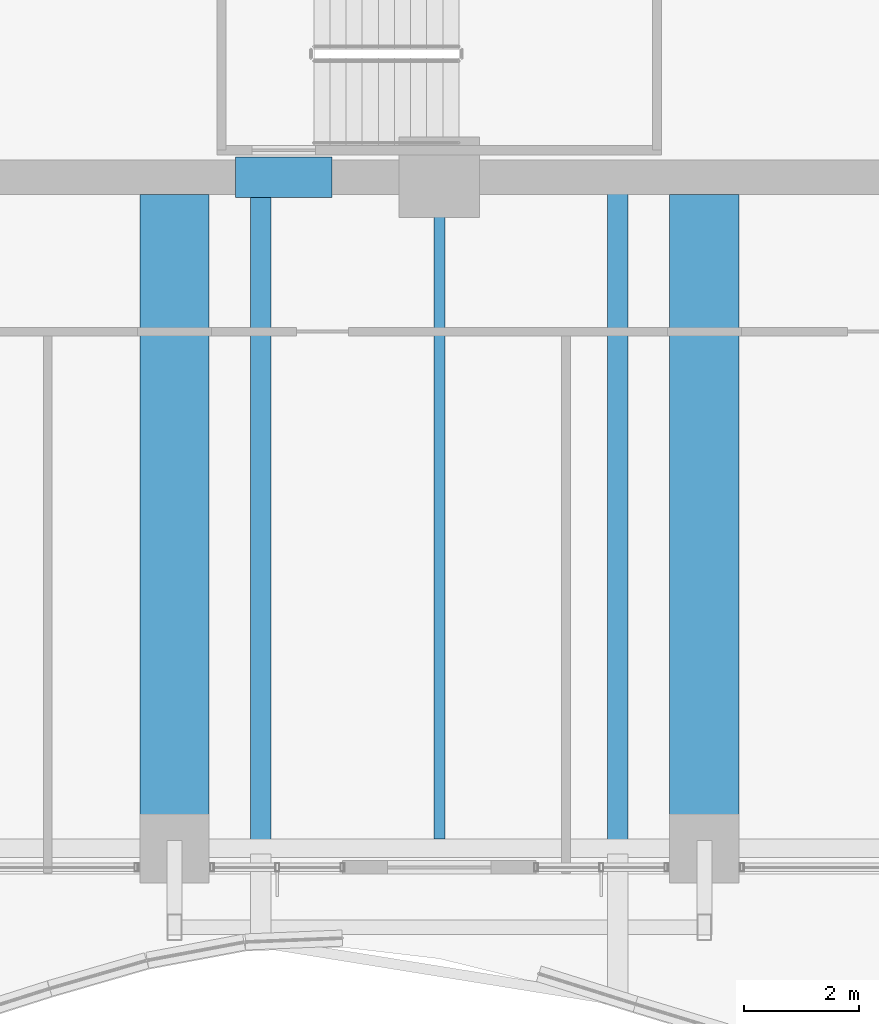
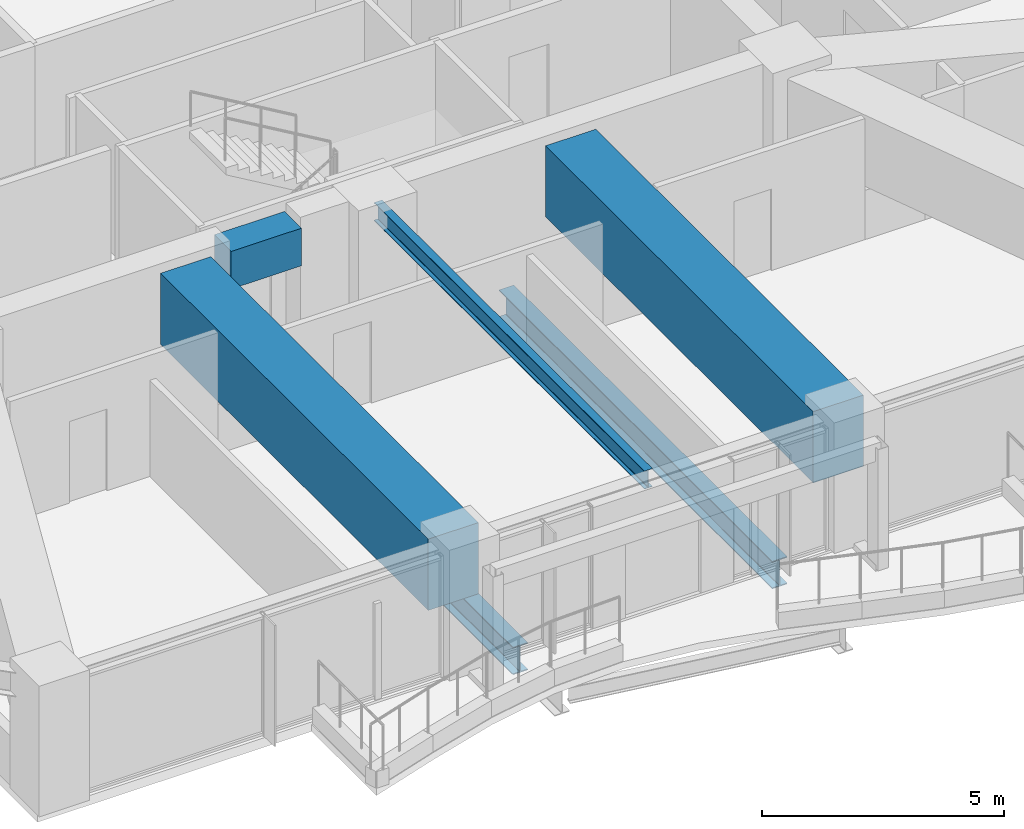
# One storey, part 6 of 37: 6 beams.
"""IFC4 building model written with IfcOpenShell, lengths in metres."""

from ifc_helpers import new_model, si_unit, direction, frame, origin, origin_2d, place, context, subcontext, project, spatial, rectangle, i_section, extrude, material, material_profile, profile_set, type_object, element, save


model = new_model("IFC4")

# Units and contexts
model_context = context("Model", 3, precision=1e-05, world=origin(), true_north=direction((0.0, 1.0)))
body_context = subcontext(model_context, "Body", "Model", "MODEL_VIEW")
ifc_project = project(units=[si_unit("LENGTHUNIT", "METRE"), si_unit("AREAUNIT", "SQUARE_METRE"), si_unit("VOLUMEUNIT", "CUBIC_METRE"), si_unit("PLANEANGLEUNIT", "RADIAN"), si_unit("MASSUNIT", "GRAM", prefix="KILO")], contexts=[model_context])

# Site, building, storey
site_placement = place(None, origin())
site = spatial("IfcSite", under=ifc_project, at=site_placement, CompositionType="ELEMENT")
building_placement = place(site_placement, origin())
building = spatial("IfcBuilding", under=site, at=building_placement, Name="Kolvaren Belvedere", CompositionType="ELEMENT")
storey_placement = place(building_placement, frame((0.0, 0.0, 56.800048828125)))
storey = spatial("IfcBuildingStorey", under=building, at=storey_placement, Name="L16", CompositionType="ELEMENT", Elevation=56.800048828125)

# Beams
ifc_material_1 = material(Name="Structural steel ASTM A992 Grade 50", Category="steel")
ifc_material_profile_1 = material_profile(ifc_material_1, i_section(OverallWidth=0.35498046875, OverallDepth=0.696044921875, WebThickness=0.015380859375, FlangeThickness=0.02490234375, FilletRadius=0.02197265625, at=origin_2d()), Name="W27X146")
ifc_profile_set_1 = profile_set([ifc_material_profile_1], Name="Structural steel ASTM A992 Grade 50")
beam_type_1 = type_object("IfcBeamType", Name="BM-GIRD-W27X146", PredefinedType="BEAM", material=ifc_profile_set_1)
for number, where, z_axis, x_axis, name in (
    (1, (-3.10009765625, -10.139892578125, -0.588134765625), (0.0, -1.0, 0.0), (1.0, 0.0, 0.0), "L16 Balcony Interior Back-Span Girder BAL-S-1"),
    (2, (3.10009765625, -10.139892578125, -0.588134765625), (0.0, -1.0, 0.0), (1.0, 0.0, 0.0), "L16 Balcony Interior Back-Span Girder BAL-S-2"),
):
    element("IfcBeam", number, at=place(storey_placement, frame(where, z_axis=z_axis, x_axis=x_axis)), inside=storey, type_object=beam_type_1, Name=name, PredefinedType="BEAM", context=body_context, shape_type="SweptSolid", body=[
        extrude(i_section(OverallWidth=0.35498046875, OverallDepth=0.696044921875, WebThickness=0.015380859375, FlangeThickness=0.02490234375, FilletRadius=0.02197265625, at=origin_2d()), origin(), (0.0, 0.0, 1.0), 11.315185546875),
    ])
ifc_material_2 = material(Name="Structural steel ASTM A992 Grade 50", Category="steel")
ifc_material_profile_2 = material_profile(ifc_material_2, i_section(OverallWidth=0.19091796875, OverallDepth=0.4599609375, WebThickness=0.010009765625, FlangeThickness=0.01611328125, FilletRadius=0.014892578125, at=origin_2d()), Name="W18X55")
ifc_profile_set_2 = profile_set([ifc_material_profile_2], Name="Structural steel ASTM A992 Grade 50")
beam_type_2 = type_object("IfcBeamType", Name="BM-JOIST-W18X55", PredefinedType="BEAM", material=ifc_profile_set_2)
beam_1_placement = place(storey_placement, frame((0.0, -10.199951171875, 2.829833984375), z_axis=(0.0, -1.0, 0.0), x_axis=(1.0, 0.0, 0.0)))
element("IfcBeam", 3, at=beam_1_placement, inside=storey, type_object=beam_type_2, Name="L16 South Centre Floor Beam", PredefinedType="BEAM", context=body_context, shape_type="SweptSolid", body=[
    extrude(i_section(OverallWidth=0.19091796875, OverallDepth=0.4599609375, WebThickness=0.010009765625, FlangeThickness=0.01611328125, FilletRadius=0.014892578125, at=origin_2d()), origin(), (0.0, 0.0, 1.0), 11.1875),
])
ifc_material_3 = material(Name="Concrete C60/75", Category="concrete")
ifc_material_profile_3 = material_profile(ifc_material_3, rectangle(XDim=0.699951171875, YDim=0.949951171875, at=origin_2d()), Name="RC 700X950")
ifc_profile_set_3 = profile_set([ifc_material_profile_3], Name="Concrete C60/75")
beam_type_3 = type_object("IfcBeamType", Name="BM-LINT-950", PredefinedType="LINTEL", material=ifc_profile_set_3)
beam_2_placement = place(storey_placement, frame((-3.5400390625, -9.89990234375, 2.5849609375), z_axis=(1.0, 0.0, 0.0), x_axis=(0.0, 1.0, 0.0)))
element("IfcBeam", 4, at=beam_2_placement, inside=storey, type_object=beam_type_3, Name="L16 South Core Coupling Lintel", PredefinedType="LINTEL", context=body_context, shape_type="SweptSolid", body=[
    extrude(rectangle(XDim=0.699951171875, YDim=0.949951171875, at=origin_2d()), origin(), (0.0, 0.0, 1.0), 1.679931640625),
])
ifc_material_4 = material(Name="Concrete C50/60", Category="concrete")
ifc_material_profile_4 = material_profile(ifc_material_4, rectangle(XDim=1.199951171875, YDim=1.800048828125, at=origin_2d()), Name="RC 1200X1800")
ifc_profile_set_4 = profile_set([ifc_material_profile_4], Name="Concrete C50/60")
beam_type_4 = type_object("IfcBeamType", Name="BM-TG-1800", PredefinedType="BEAM", material=ifc_profile_set_4)
for number, where, z_axis, x_axis, name in (
    (5, (4.60009765625, -10.199951171875, 2.159912109375), (0.0, -1.0, 0.0), (1.0, 0.0, 0.0), "L16 South Radial Girder P"),
    (6, (-4.60009765625, -10.199951171875, 2.159912109375), (0.0, -1.0, 0.0), (1.0, 0.0, 0.0), "L16 South Radial Girder M"),
):
    element("IfcBeam", number, at=place(storey_placement, frame(where, z_axis=z_axis, x_axis=x_axis)), inside=storey, type_object=beam_type_4, Name=name, PredefinedType="BEAM", context=body_context, shape_type="SweptSolid", body=[
        extrude(rectangle(XDim=1.199951171875, YDim=1.800048828125, at=origin_2d()), origin(), (0.0, 0.0, 1.0), 11.080078125),
    ])

save(model, "model.ifc")
